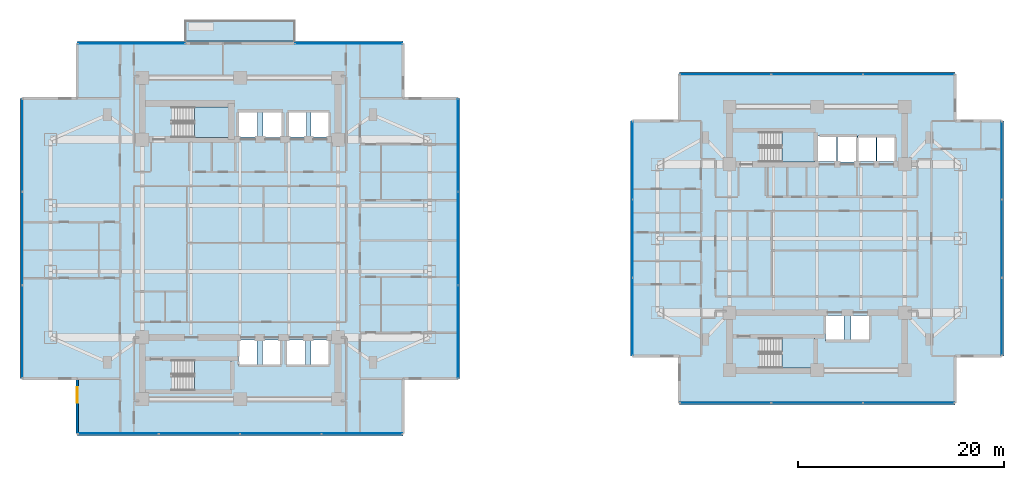
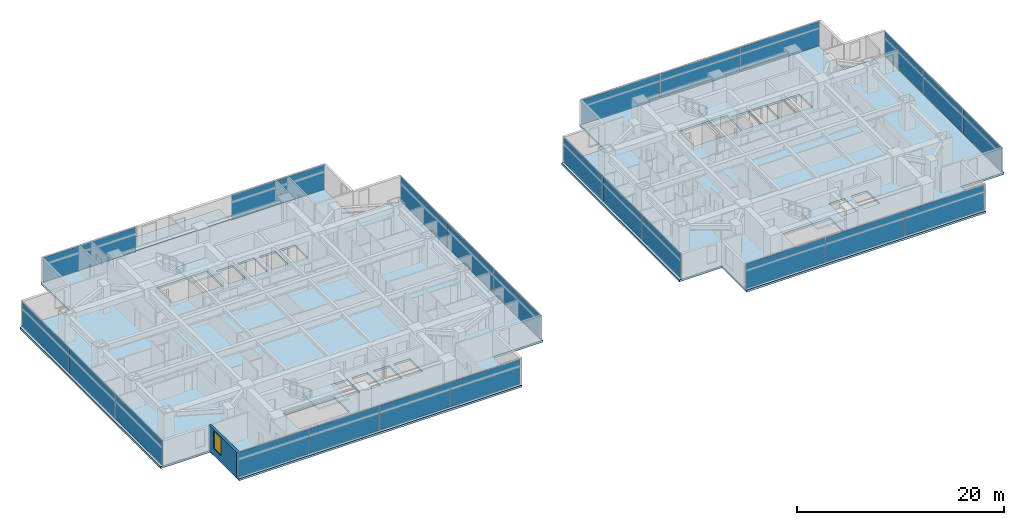
# One storey, part 12 of 25: 24 plates, 7 slabs, 1 wall, 1 window, 1 opening, 13 elements without a shape of their own.
"""IFC4 building model written with IfcOpenShell, lengths in metres."""

from ifc_helpers import new_model, si_unit, direction, frame, frame_2d, origin, origin_2d, place, context, subcontext, project, spatial, polyline, rectangle, outline, extrude, material, layer, layer_set, type_object, element, fill, aggregate, save


model = new_model("IFC4")

# Units and contexts
model_context = context("Model", 3, precision=1e-05, world=origin(), true_north=direction((0.0, 1.0)))
body_context = subcontext(model_context, "Body", "Model", "MODEL_VIEW")
ifc_project = project(units=[si_unit("LENGTHUNIT", "METRE"), si_unit("AREAUNIT", "SQUARE_METRE"), si_unit("VOLUMEUNIT", "CUBIC_METRE"), si_unit("PLANEANGLEUNIT", "RADIAN"), si_unit("MASSUNIT", "GRAM", prefix="KILO")], contexts=[model_context])

# Site, building, storey
site_placement = place(None, origin())
site = spatial("IfcSite", under=ifc_project, at=site_placement, CompositionType="ELEMENT")
building_placement = place(site_placement, origin())
building = spatial("IfcBuilding", under=site, at=building_placement, Name="Mirazonda Arch Towers", CompositionType="ELEMENT")
storey_placement = place(building_placement, frame((0.0, 0.0, 58.699951171875)))
storey = spatial("IfcBuildingStorey", under=building, at=storey_placement, Name="L16", CompositionType="ELEMENT", Elevation=58.699951171875)

# Curtain wall, plates
ifc_material_1 = material(Name="Anodised Aluminium and Low-E Glass", Category="aluminium")
curtain_wall_type = type_object("IfcCurtainWallType", Name="CW-HTL-UNIT", PredefinedType="NOTDEFINED", material=ifc_material_1)
curtain_wall_1_placement = place(storey_placement, origin())
curtain_wall_1 = element("IfcCurtainWall", 1, at=curtain_wall_1_placement, inside=storey, type_object=curtain_wall_type, Name="L16 T1 S Facade CW-L16-T1-S", PredefinedType="NOTDEFINED")
ifc_material_2 = material(Name="Insulated Low-E Solar Glass", Category="glass")
ifc_layer_1 = layer(ifc_material_2, 0.035888671875, Name="PAN-CW-HTL-UNIT")
ifc_layer_set_1 = layer_set([ifc_layer_1], Name="Insulated Low-E Solar Glass")
plate_type = type_object("IfcPlateType", Name="PAN-CW-HTL-UNIT", PredefinedType="CURTAIN_PANEL", material=ifc_layer_set_1)
plate_1_placement = place(storey_placement, frame((32.331298828125, 9.06396484375, 0.0751953125), z_axis=(0.0, 0.0, 1.0), x_axis=(-1.0, 0.0, 0.0)))
plate_1 = element("IfcPlate", 2, at=plate_1_placement, type_object=plate_type, Name="CW-112 panel 1.1", PredefinedType="CURTAIN_PANEL", context=body_context, shape_type="SweptSolid", body=[
    extrude(rectangle(XDim=7.78759765625, YDim=0.035888671875, at=origin_2d()), origin(), (0.0, 0.0, 1.0), 2.889892578125),
])
plate_2_placement = place(storey_placement, frame((24.449951171875, 9.06396484375, 0.0751953125), z_axis=(0.0, 0.0, 1.0), x_axis=(-1.0, 0.0, 0.0)))
plate_2 = element("IfcPlate", 3, at=plate_2_placement, type_object=plate_type, Name="CW-112 panel 2.1", PredefinedType="CURTAIN_PANEL", context=body_context, shape_type="SweptSolid", body=[
    extrude(rectangle(XDim=7.824951171875, YDim=0.035888671875, at=origin_2d()), origin(), (0.0, 0.0, 1.0), 2.889892578125),
])
plate_3_placement = place(storey_placement, frame((16.550048828125, 9.06396484375, 0.0751953125), z_axis=(0.0, 0.0, 1.0), x_axis=(-1.0, 0.0, 0.0)))
plate_3 = element("IfcPlate", 4, at=plate_3_placement, type_object=plate_type, Name="CW-112 panel 3.1", PredefinedType="CURTAIN_PANEL", context=body_context, shape_type="SweptSolid", body=[
    extrude(rectangle(XDim=7.824951171875, YDim=0.035888671875, at=origin_2d()), origin(), (0.0, 0.0, 1.0), 2.889892578125),
])
plate_4_placement = place(storey_placement, frame((8.668701171875, 9.06396484375, 0.0751953125), z_axis=(0.0, 0.0, 1.0), x_axis=(-1.0, 0.0, 0.0)))
plate_4 = element("IfcPlate", 5, at=plate_4_placement, type_object=plate_type, Name="CW-112 panel 4.1", PredefinedType="CURTAIN_PANEL", context=body_context, shape_type="SweptSolid", body=[
    extrude(rectangle(XDim=7.78759765625, YDim=0.035888671875, at=origin_2d()), origin(), (0.0, 0.0, 1.0), 2.889892578125),
])
aggregate(curtain_wall_1, [plate_1, plate_2, plate_3, plate_4])

curtain_wall_2_placement = place(storey_placement, origin())
curtain_wall_2 = element("IfcCurtainWall", 6, at=curtain_wall_2_placement, inside=storey, type_object=curtain_wall_type, Name="L16 T1 E Facade CW-L16-T1-E", PredefinedType="NOTDEFINED")
plate_5_placement = place(storey_placement, frame((41.639892578125, 18.954833984375, 0.0751953125), z_axis=(0.0, 0.0, 1.0), x_axis=(0.0, 1.0, 0.0)))
plate_5 = element("IfcPlate", 7, at=plate_5_placement, type_object=plate_type, Name="CW-112 panel 1.1", PredefinedType="CURTAIN_PANEL", context=body_context, shape_type="SweptSolid", body=[
    extrude(rectangle(XDim=8.951416015625, YDim=0.035888671875, at=origin_2d()), origin(), (0.0, 0.0, 1.0), 2.889892578125),
])
plate_6_placement = place(storey_placement, frame((41.639892578125, 28.0, 0.0751953125), z_axis=(0.0, 0.0, 1.0), x_axis=(0.0, 1.0, 0.0)))
plate_6 = element("IfcPlate", 8, at=plate_6_placement, type_object=plate_type, Name="CW-112 panel 2.1", PredefinedType="CURTAIN_PANEL", context=body_context, shape_type="SweptSolid", body=[
    extrude(rectangle(XDim=8.989013671875, YDim=0.035888671875, at=origin_2d()), origin(), (0.0, 0.0, 1.0), 2.889892578125),
])
plate_7_placement = place(storey_placement, frame((41.639892578125, 37.045166015625, 0.0751953125), z_axis=(0.0, 0.0, 1.0), x_axis=(0.0, 1.0, 0.0)))
plate_7 = element("IfcPlate", 9, at=plate_7_placement, type_object=plate_type, Name="CW-112 panel 3.1", PredefinedType="CURTAIN_PANEL", context=body_context, shape_type="SweptSolid", body=[
    extrude(rectangle(XDim=8.951416015625, YDim=0.035888671875, at=origin_2d()), origin(), (0.0, 0.0, 1.0), 2.889892578125),
])
aggregate(curtain_wall_2, [plate_5, plate_6, plate_7])

# Curtain wall, plate
curtain_wall_3_placement = place(storey_placement, origin())
curtain_wall_3 = element("IfcCurtainWall", 10, at=curtain_wall_3_placement, inside=storey, type_object=curtain_wall_type, Name="L16 Curtain Wall CW-L16-T1-NA", PredefinedType="NOTDEFINED")
plate_8_placement = place(storey_placement, frame((9.955078125, 46.93603515625, 0.0751953125), z_axis=(0.0, 0.0, 1.0), x_axis=(1.0, 0.0, 0.0)))
plate_8 = element("IfcPlate", 11, at=plate_8_placement, type_object=plate_type, Name="CW-112 panel 1.1", PredefinedType="CURTAIN_PANEL", context=body_context, shape_type="SweptSolid", body=[
    extrude(rectangle(XDim=10.360107421875, YDim=0.035888671875, at=origin_2d()), origin(), (0.0, 0.0, 1.0), 2.889892578125),
])
aggregate(curtain_wall_3, [plate_8])

curtain_wall_4_placement = place(storey_placement, origin())
curtain_wall_4 = element("IfcCurtainWall", 12, at=curtain_wall_4_placement, inside=storey, type_object=curtain_wall_type, Name="L16 Curtain Wall CW-L16-T1-NB", PredefinedType="NOTDEFINED")
plate_9_placement = place(storey_placement, frame((31.044921875, 46.93603515625, 0.0751953125), z_axis=(0.0, 0.0, 1.0), x_axis=(1.0, 0.0, 0.0)))
plate_9 = element("IfcPlate", 13, at=plate_9_placement, type_object=plate_type, Name="CW-112 panel 1.1", PredefinedType="CURTAIN_PANEL", context=body_context, shape_type="SweptSolid", body=[
    extrude(rectangle(XDim=10.360107421875, YDim=0.035888671875, at=origin_2d()), origin(), (0.0, 0.0, 1.0), 2.889892578125),
])
aggregate(curtain_wall_4, [plate_9])

# Curtain wall, plates
curtain_wall_5_placement = place(storey_placement, origin())
curtain_wall_5 = element("IfcCurtainWall", 14, at=curtain_wall_5_placement, inside=storey, type_object=curtain_wall_type, Name="L16 T1 W Facade CW-L16-T1-W", PredefinedType="NOTDEFINED")
plate_10_placement = place(storey_placement, frame((-0.639892578125, 37.045166015625, 0.0751953125), z_axis=(0.0, 0.0, 1.0), x_axis=(0.0, -1.0, 0.0)))
plate_10 = element("IfcPlate", 15, at=plate_10_placement, type_object=plate_type, Name="CW-112 panel 1.1", PredefinedType="CURTAIN_PANEL", context=body_context, shape_type="SweptSolid", body=[
    extrude(rectangle(XDim=8.951416015625, YDim=0.035888671875, at=origin_2d()), origin(), (0.0, 0.0, 1.0), 2.889892578125),
])
plate_11_placement = place(storey_placement, frame((-0.639892578125, 28.0, 0.0751953125), z_axis=(0.0, 0.0, 1.0), x_axis=(0.0, -1.0, 0.0)))
plate_11 = element("IfcPlate", 16, at=plate_11_placement, type_object=plate_type, Name="CW-112 panel 2.1", PredefinedType="CURTAIN_PANEL", context=body_context, shape_type="SweptSolid", body=[
    extrude(rectangle(XDim=8.989013671875, YDim=0.035888671875, at=origin_2d()), origin(), (0.0, 0.0, 1.0), 2.889892578125),
])
plate_12_placement = place(storey_placement, frame((-0.639892578125, 18.954833984375, 0.0751953125), z_axis=(0.0, 0.0, 1.0), x_axis=(0.0, -1.0, 0.0)))
plate_12 = element("IfcPlate", 17, at=plate_12_placement, type_object=plate_type, Name="CW-112 panel 3.1", PredefinedType="CURTAIN_PANEL", context=body_context, shape_type="SweptSolid", body=[
    extrude(rectangle(XDim=8.951416015625, YDim=0.035888671875, at=origin_2d()), origin(), (0.0, 0.0, 1.0), 2.889892578125),
])
aggregate(curtain_wall_5, [plate_10, plate_11, plate_12])

curtain_wall_6_placement = place(storey_placement, origin())
curtain_wall_6 = element("IfcCurtainWall", 18, at=curtain_wall_6_placement, inside=storey, type_object=curtain_wall_type, Name="L16 T2 S Facade CW-L16-T2-S", PredefinedType="NOTDEFINED")
plate_13_placement = place(storey_placement, frame((85.39453125, 12.057373046875, 0.0751953125), z_axis=(0.0, 0.0, 1.0), x_axis=(-1.0, 0.0, 0.0)))
plate_13 = element("IfcPlate", 19, at=plate_13_placement, type_object=plate_type, Name="CW-112 panel 1.1", PredefinedType="CURTAIN_PANEL", context=body_context, shape_type="SweptSolid", body=[
    extrude(rectangle(XDim=8.80078125, YDim=0.035888671875, at=origin_2d()), origin(), (0.0, 0.0, 1.0), 2.889892578125),
])
plate_14_placement = place(storey_placement, frame((76.5, 12.057373046875, 0.0751953125), z_axis=(0.0, 0.0, 1.0), x_axis=(-1.0, 0.0, 0.0)))
plate_14 = element("IfcPlate", 20, at=plate_14_placement, type_object=plate_type, Name="CW-112 panel 2.1", PredefinedType="CURTAIN_PANEL", context=body_context, shape_type="SweptSolid", body=[
    extrude(rectangle(XDim=8.83837890625, YDim=0.035888671875, at=origin_2d()), origin(), (0.0, 0.0, 1.0), 2.889892578125),
])
plate_15_placement = place(storey_placement, frame((67.60546875, 12.057373046875, 0.0751953125), z_axis=(0.0, 0.0, 1.0), x_axis=(-1.0, 0.0, 0.0)))
plate_15 = element("IfcPlate", 21, at=plate_15_placement, type_object=plate_type, Name="CW-112 panel 3.1", PredefinedType="CURTAIN_PANEL", context=body_context, shape_type="SweptSolid", body=[
    extrude(rectangle(XDim=8.80078125, YDim=0.035888671875, at=origin_2d()), origin(), (0.0, 0.0, 1.0), 2.889892578125),
])
aggregate(curtain_wall_6, [plate_13, plate_14, plate_15])

curtain_wall_7_placement = place(storey_placement, origin())
curtain_wall_7 = element("IfcCurtainWall", 22, at=curtain_wall_7_placement, inside=storey, type_object=curtain_wall_type, Name="L16 T2 E Facade CW-L16-T2-E", PredefinedType="NOTDEFINED")
plate_16_placement = place(storey_placement, frame((94.416015625, 20.4208984375, 0.0751953125), z_axis=(0.0, 0.0, 1.0), x_axis=(0.0, 1.0, 0.0)))
plate_16 = element("IfcPlate", 23, at=plate_16_placement, type_object=plate_type, Name="CW-112 panel 1.1", PredefinedType="CURTAIN_PANEL", context=body_context, shape_type="SweptSolid", body=[
    extrude(rectangle(XDim=7.4853515625, YDim=0.035888671875, at=origin_2d()), origin(), (0.0, 0.0, 1.0), 2.889892578125),
])
plate_17_placement = place(storey_placement, frame((94.416015625, 28.0, 0.0751953125), z_axis=(0.0, 0.0, 1.0), x_axis=(0.0, 1.0, 0.0)))
plate_17 = element("IfcPlate", 24, at=plate_17_placement, type_object=plate_type, Name="CW-112 panel 2.1", PredefinedType="CURTAIN_PANEL", context=body_context, shape_type="SweptSolid", body=[
    extrude(rectangle(XDim=7.522705078125, YDim=0.035888671875, at=origin_2d()), origin(), (0.0, 0.0, 1.0), 2.889892578125),
])
plate_18_placement = place(storey_placement, frame((94.416015625, 35.5791015625, 0.0751953125), z_axis=(0.0, 0.0, 1.0), x_axis=(0.0, 1.0, 0.0)))
plate_18 = element("IfcPlate", 25, at=plate_18_placement, type_object=plate_type, Name="CW-112 panel 3.1", PredefinedType="CURTAIN_PANEL", context=body_context, shape_type="SweptSolid", body=[
    extrude(rectangle(XDim=7.4853515625, YDim=0.035888671875, at=origin_2d()), origin(), (0.0, 0.0, 1.0), 2.889892578125),
])
aggregate(curtain_wall_7, [plate_16, plate_17, plate_18])

curtain_wall_8_placement = place(storey_placement, origin())
curtain_wall_8 = element("IfcCurtainWall", 26, at=curtain_wall_8_placement, inside=storey, type_object=curtain_wall_type, Name="L16 T2 N Facade CW-L16-T2-N", PredefinedType="NOTDEFINED")
plate_19_placement = place(storey_placement, frame((67.60546875, 43.942626953125, 0.0751953125), z_axis=(0.0, 0.0, 1.0), x_axis=(1.0, 0.0, 0.0)))
plate_19 = element("IfcPlate", 27, at=plate_19_placement, type_object=plate_type, Name="CW-112 panel 1.1", PredefinedType="CURTAIN_PANEL", context=body_context, shape_type="SweptSolid", body=[
    extrude(rectangle(XDim=8.80078125, YDim=0.035888671875, at=origin_2d()), origin(), (0.0, 0.0, 1.0), 2.889892578125),
])
plate_20_placement = place(storey_placement, frame((76.5, 43.942626953125, 0.0751953125), z_axis=(0.0, 0.0, 1.0), x_axis=(1.0, 0.0, 0.0)))
plate_20 = element("IfcPlate", 28, at=plate_20_placement, type_object=plate_type, Name="CW-112 panel 2.1", PredefinedType="CURTAIN_PANEL", context=body_context, shape_type="SweptSolid", body=[
    extrude(rectangle(XDim=8.83837890625, YDim=0.035888671875, at=origin_2d()), origin(), (0.0, 0.0, 1.0), 2.889892578125),
])
plate_21_placement = place(storey_placement, frame((85.39453125, 43.942626953125, 0.0751953125), z_axis=(0.0, 0.0, 1.0), x_axis=(1.0, 0.0, 0.0)))
plate_21 = element("IfcPlate", 29, at=plate_21_placement, type_object=plate_type, Name="CW-112 panel 3.1", PredefinedType="CURTAIN_PANEL", context=body_context, shape_type="SweptSolid", body=[
    extrude(rectangle(XDim=8.80078125, YDim=0.035888671875, at=origin_2d()), origin(), (0.0, 0.0, 1.0), 2.889892578125),
])
aggregate(curtain_wall_8, [plate_19, plate_20, plate_21])

curtain_wall_9_placement = place(storey_placement, origin())
curtain_wall_9 = element("IfcCurtainWall", 30, at=curtain_wall_9_placement, inside=storey, type_object=curtain_wall_type, Name="L16 T2 W Facade CW-L16-T2-W", PredefinedType="NOTDEFINED")
plate_22_placement = place(storey_placement, frame((58.583984375, 35.5791015625, 0.0751953125), z_axis=(0.0, 0.0, 1.0), x_axis=(0.0, -1.0, 0.0)))
plate_22 = element("IfcPlate", 31, at=plate_22_placement, type_object=plate_type, Name="CW-112 panel 1.1", PredefinedType="CURTAIN_PANEL", context=body_context, shape_type="SweptSolid", body=[
    extrude(rectangle(XDim=7.4853515625, YDim=0.035888671875, at=origin_2d()), origin(), (0.0, 0.0, 1.0), 2.889892578125),
])
plate_23_placement = place(storey_placement, frame((58.583984375, 28.0, 0.0751953125), z_axis=(0.0, 0.0, 1.0), x_axis=(0.0, -1.0, 0.0)))
plate_23 = element("IfcPlate", 32, at=plate_23_placement, type_object=plate_type, Name="CW-112 panel 2.1", PredefinedType="CURTAIN_PANEL", context=body_context, shape_type="SweptSolid", body=[
    extrude(rectangle(XDim=7.522705078125, YDim=0.035888671875, at=origin_2d()), origin(), (0.0, 0.0, 1.0), 2.889892578125),
])
plate_24_placement = place(storey_placement, frame((58.583984375, 20.4208984375, 0.0751953125), z_axis=(0.0, 0.0, 1.0), x_axis=(0.0, -1.0, 0.0)))
plate_24 = element("IfcPlate", 33, at=plate_24_placement, type_object=plate_type, Name="CW-112 panel 3.1", PredefinedType="CURTAIN_PANEL", context=body_context, shape_type="SweptSolid", body=[
    extrude(rectangle(XDim=7.4853515625, YDim=0.035888671875, at=origin_2d()), origin(), (0.0, 0.0, 1.0), 2.889892578125),
])
aggregate(curtain_wall_9, [plate_22, plate_23, plate_24])

# Stair, slab
ifc_material_3 = material(Name="Concrete C40/50", Category="concrete")
stair_type = type_object("IfcStairType", Name="STAIR-CORE-1400", PredefinedType="HALF_TURN_STAIR", material=ifc_material_3)
stair_1_placement = place(storey_placement, origin())
stair_1 = element("IfcStair", 34, at=stair_1_placement, inside=storey, type_object=stair_type, Name="L16 Protected Exit Stair ST-T1N", PredefinedType="HALF_TURN_STAIR")
ifc_layer_2 = layer(ifc_material_3, 0.18994140625, Name="SLAB-LANDING-190")
ifc_layer_set_2 = layer_set([ifc_layer_2], Name="Concrete C40/50")
slab_type_1 = type_object("IfcSlabType", Name="SLAB-LANDING-190", PredefinedType="LANDING", material=ifc_layer_set_2)
slab_1_placement = place(storey_placement, frame((0.0, 0.0, 1.449951171875)))
slab_1 = element("IfcSlab", 35, at=slab_1_placement, type_object=slab_type_1, Name="ST-T1N landing 1", PredefinedType="LANDING", context=body_context, shape_type="SweptSolid", body=[
    extrude(outline(polyline([(16.090087890625, 37.820068359375), (19.60009765625, 37.820068359375), (19.60009765625, 40.760009765625), (16.090087890625, 40.760009765625), (16.090087890625, 37.820068359375)])), origin(), (0.0, 0.0, 1.0), 0.2001953125),
])
aggregate(stair_1, [slab_1])

stair_2_placement = place(storey_placement, origin())
stair_2 = element("IfcStair", 36, at=stair_2_placement, inside=storey, type_object=stair_type, Name="L16 Protected Exit Stair ST-T1S", PredefinedType="HALF_TURN_STAIR")
slab_2_placement = place(storey_placement, frame((0.0, 0.0, 1.449951171875)))
slab_2 = element("IfcSlab", 37, at=slab_2_placement, type_object=slab_type_1, Name="ST-T1S landing 1", PredefinedType="LANDING", context=body_context, shape_type="SweptSolid", body=[
    extrude(outline(polyline([(16.090087890625, 13.25), (19.60009765625, 13.25), (19.60009765625, 16.18994140625), (16.090087890625, 16.18994140625), (16.090087890625, 13.25)])), origin(), (0.0, 0.0, 1.0), 0.2001953125),
])
aggregate(stair_2, [slab_2])

stair_3_placement = place(storey_placement, origin())
stair_3 = element("IfcStair", 38, at=stair_3_placement, inside=storey, type_object=stair_type, Name="L16 Protected Exit Stair ST-T2N", PredefinedType="HALF_TURN_STAIR")
slab_3_placement = place(storey_placement, frame((0.0, 0.0, 1.449951171875)))
slab_3 = element("IfcSlab", 39, at=slab_3_placement, type_object=slab_type_1, Name="ST-T2N landing 1", PredefinedType="LANDING", context=body_context, shape_type="SweptSolid", body=[
    extrude(outline(polyline([(73.090087890625, 35.419921875), (76.22998046875, 35.419921875), (76.22998046875, 38.360107421875), (73.090087890625, 38.360107421875), (73.090087890625, 35.419921875)])), origin(), (0.0, 0.0, 1.0), 0.2001953125),
])
aggregate(stair_3, [slab_3])

stair_4_placement = place(storey_placement, origin())
stair_4 = element("IfcStair", 40, at=stair_4_placement, inside=storey, type_object=stair_type, Name="L16 Protected Exit Stair ST-T2S", PredefinedType="HALF_TURN_STAIR")
slab_4_placement = place(storey_placement, frame((0.0, 0.0, 1.449951171875)))
slab_4 = element("IfcSlab", 41, at=slab_4_placement, type_object=slab_type_1, Name="ST-T2S landing 1", PredefinedType="LANDING", context=body_context, shape_type="SweptSolid", body=[
    extrude(outline(polyline([(73.090087890625, 15.419921875), (76.22998046875, 15.419921875), (76.22998046875, 18.360107421875), (73.090087890625, 18.360107421875), (73.090087890625, 15.419921875)])), origin(), (0.0, 0.0, 1.0), 0.2001953125),
])
aggregate(stair_4, [slab_4])

# Slabs
ifc_layer_3 = layer(ifc_material_3, 0.2099609375, Name="SLAB-TERRACE-210")
ifc_layer_set_3 = layer_set([ifc_layer_3], Name="Concrete C40/50")
slab_type_2 = type_object("IfcSlabType", Name="SLAB-TERRACE-210", PredefinedType="FLOOR", material=ifc_layer_set_3)
slab_5_placement = place(storey_placement, frame((0.0, 0.0, -0.2099609375)))
element("IfcSlab", 42, at=slab_5_placement, inside=storey, type_object=slab_type_2, Name="L16 T1 Spiralling Sky-Terrace Balcony Slab", PredefinedType="FLOOR", context=body_context, shape_type="SweptSolid", body=[
    extrude(outline(polyline([(15.199951171875, 47.14599609375), (25.800048828125, 47.14599609375), (25.800048828125, 49.2060546875), (15.199951171875, 49.2060546875), (15.199951171875, 47.14599609375)])), origin(), (0.0, 0.0, 1.0), 0.2099609375),
])
ifc_layer_4 = layer(ifc_material_3, 0.239990234375, Name="SLAB-TWR-240")
ifc_layer_set_4 = layer_set([ifc_layer_4], Name="Concrete C40/50")
slab_type_3 = type_object("IfcSlabType", Name="SLAB-TWR-240", PredefinedType="FLOOR", material=ifc_layer_set_4)
slab_6_placement = place(storey_placement, frame((0.0, 0.0, -0.239990234375)))
element("IfcSlab", 43, at=slab_6_placement, inside=storey, type_object=slab_type_3, Name="L16 Tower 1 Floor Slab", PredefinedType="FLOOR", context=body_context, shape_type="SweptSolid", body=[
    extrude(outline(polyline([(4.699951171875, 8.843994140625), (36.300048828125, 8.843994140625), (36.300048828125, 14.404052734375), (41.860107421875, 14.404052734375), (41.860107421875, 41.595947265625), (36.300048828125, 41.595947265625), (36.300048828125, 47.156005859375), (4.699951171875, 47.156005859375), (4.699951171875, 41.595947265625), (-0.860107421875, 41.595947265625), (-0.860107421875, 14.404052734375), (4.699951171875, 14.404052734375), (4.699951171875, 8.843994140625)]), holes=[polyline([(29.139892578125, 18.139892578125), (29.139892578125, 15.659912109375), (27.360107421875, 15.659912109375), (27.360107421875, 18.139892578125), (29.139892578125, 18.139892578125)]), polyline([(29.139892578125, 40.340087890625), (29.139892578125, 37.860107421875), (27.360107421875, 37.860107421875), (27.360107421875, 40.340087890625), (29.139892578125, 40.340087890625)]), polyline([(25.159912109375, 40.340087890625), (26.93994140625, 40.340087890625), (26.93994140625, 37.860107421875), (25.159912109375, 37.860107421875), (25.159912109375, 40.340087890625)]), polyline([(26.840087890625, 18.139892578125), (26.840087890625, 15.659912109375), (25.06005859375, 15.659912109375), (25.06005859375, 18.139892578125), (26.840087890625, 18.139892578125)]), polyline([(22.7099609375, 40.389892578125), (24.590087890625, 40.389892578125), (24.590087890625, 37.81005859375), (22.7099609375, 37.81005859375), (22.7099609375, 40.389892578125)]), polyline([(22.659912109375, 18.139892578125), (24.43994140625, 18.139892578125), (24.43994140625, 15.659912109375), (22.659912109375, 15.659912109375), (22.659912109375, 18.139892578125)]), polyline([(20.31005859375, 40.340087890625), (22.18994140625, 40.340087890625), (22.18994140625, 37.860107421875), (20.31005859375, 37.860107421875), (20.31005859375, 40.340087890625)]), polyline([(20.360107421875, 18.139892578125), (22.139892578125, 18.139892578125), (22.139892578125, 15.659912109375), (20.360107421875, 15.659912109375), (20.360107421875, 18.139892578125)]), polyline([(13.925048828125, 40.760009765625), (19.60009765625, 40.760009765625), (19.60009765625, 37.820068359375), (13.925048828125, 37.820068359375), (13.925048828125, 40.760009765625)]), polyline([(13.925048828125, 13.25), (13.925048828125, 16.18994140625), (19.60009765625, 16.18994140625), (19.60009765625, 13.25), (13.925048828125, 13.25)])]), origin(), (0.0, 0.0, 1.0), 0.239990234375),
])
slab_7_placement = place(storey_placement, frame((0.0, 0.0, -0.239990234375)))
element("IfcSlab", 44, at=slab_7_placement, inside=storey, type_object=slab_type_3, Name="L16 Tower 2 Floor Slab", PredefinedType="FLOOR", context=body_context, shape_type="SweptSolid", body=[
    extrude(outline(polyline([(63.1298828125, 11.83740234375), (89.8701171875, 11.83740234375), (89.8701171875, 16.603515625), (94.635986328125, 16.603515625), (94.635986328125, 39.396484375), (89.8701171875, 39.396484375), (89.8701171875, 44.16259765625), (63.1298828125, 44.16259765625), (63.1298828125, 39.396484375), (58.364013671875, 39.396484375), (58.364013671875, 16.603515625), (63.1298828125, 16.603515625), (63.1298828125, 11.83740234375)]), holes=[polyline([(82.330078125, 37.93994140625), (84.110107421875, 37.93994140625), (84.110107421875, 35.4599609375), (82.330078125, 35.4599609375), (82.330078125, 37.93994140625)]), polyline([(80.449951171875, 37.93994140625), (82.22998046875, 37.93994140625), (82.22998046875, 35.4599609375), (80.449951171875, 35.4599609375), (80.449951171875, 37.93994140625)]), polyline([(79.81005859375, 20.5400390625), (81.590087890625, 20.5400390625), (81.590087890625, 18.06005859375), (79.81005859375, 18.06005859375), (79.81005859375, 20.5400390625)]), polyline([(78.47998046875, 37.989990234375), (80.360107421875, 37.989990234375), (80.360107421875, 35.409912109375), (78.47998046875, 35.409912109375), (78.47998046875, 37.989990234375)]), polyline([(77.31005859375, 20.5400390625), (79.090087890625, 20.5400390625), (79.090087890625, 18.06005859375), (77.31005859375, 18.06005859375), (77.31005859375, 20.5400390625)]), polyline([(76.510009765625, 37.93994140625), (78.389892578125, 37.93994140625), (78.389892578125, 35.4599609375), (76.510009765625, 35.4599609375), (76.510009765625, 37.93994140625)]), polyline([(70.925048828125, 15.419921875), (70.925048828125, 18.360107421875), (76.22998046875, 18.360107421875), (76.22998046875, 15.419921875), (70.925048828125, 15.419921875)]), polyline([(70.925048828125, 35.419921875), (70.925048828125, 38.360107421875), (76.22998046875, 38.360107421875), (76.22998046875, 35.419921875), (70.925048828125, 35.419921875)])]), origin(), (0.0, 0.0, 1.0), 0.239990234375),
])

# Wall, opening, window
ifc_material_4 = material(Name="Precast Concrete C40/50", Category="concrete")
ifc_layer_5 = layer(ifc_material_4, 0.280029296875, Name="WALL-EXT-WALL-280")
ifc_layer_set_5 = layer_set([ifc_layer_5], Name="Precast Concrete C40/50")
wall_type = type_object("IfcWallType", Name="WALL-EXT-WALL-280", PredefinedType="SOLIDWALL", material=ifc_layer_set_5)
wall_placement = place(storey_placement, frame((4.699951171875, 14.404052734375, 0.0), z_axis=(0.0, 0.0, 1.0), x_axis=(0.0, -1.0, 0.0)))
wall = element("IfcWall", 45, at=wall_placement, inside=storey, type_object=wall_type, Name="L16 T1 Notched SW Corner Wall WL-L16-T1-CSW", PredefinedType="SOLIDWALL", context=body_context, shape_type="SweptSolid", body=[
    extrude(rectangle(XDim=5.340087890625, YDim=0.280029296875, at=frame_2d((2.669921875, 0.0))), origin(), (0.0, 0.0, 1.0), 3.0400390625),
])
opening_placement = place(wall_placement, frame((0.85009765625, 0.0, 0.7900390625)))
opening = element("IfcOpeningElement", 46, at=opening_placement, cuts=wall, Name="Opening WN-120", PredefinedType="OPENING", context=body_context, shape_type="SweptSolid", body=[
    extrude(rectangle(XDim=1.5, YDim=2.10009765625, at=frame_2d((0.75, 1.050048828125))), frame((0.0, 0.14990234375, 0.0), z_axis=(0.0, -1.0, 0.0), x_axis=(1.0, 0.0, 0.0)), (0.0, 0.0, 1.0), 0.300048828125),
])
window_type = type_object("IfcWindowType", Name="WIN-HTL-1500x2100", PartitioningType="SINGLE_PANEL", PredefinedType="WINDOW", material=ifc_material_2)
window_placement = place(opening_placement, origin())
window = element("IfcWindow", 47, at=window_placement, inside=storey, type_object=window_type, Name="L16 Punched Facade Window WN-L16-T1-CSW", OverallHeight=2.10009765625, OverallWidth=1.5, PartitioningType="SINGLE_PANEL", PredefinedType="WINDOW", context=body_context, shape_type="SweptSolid", body=[
    extrude(rectangle(XDim=1.5, YDim=2.10009765625, at=frame_2d((0.75, 1.050048828125))), frame((0.0, 0.030029296875, 0.0), z_axis=(0.0, -1.0, 0.0), x_axis=(1.0, 0.0, 0.0)), (0.0, 0.0, 1.0), 0.06005859375),
])
fill(opening, window)

save(model, "model.ifc")
